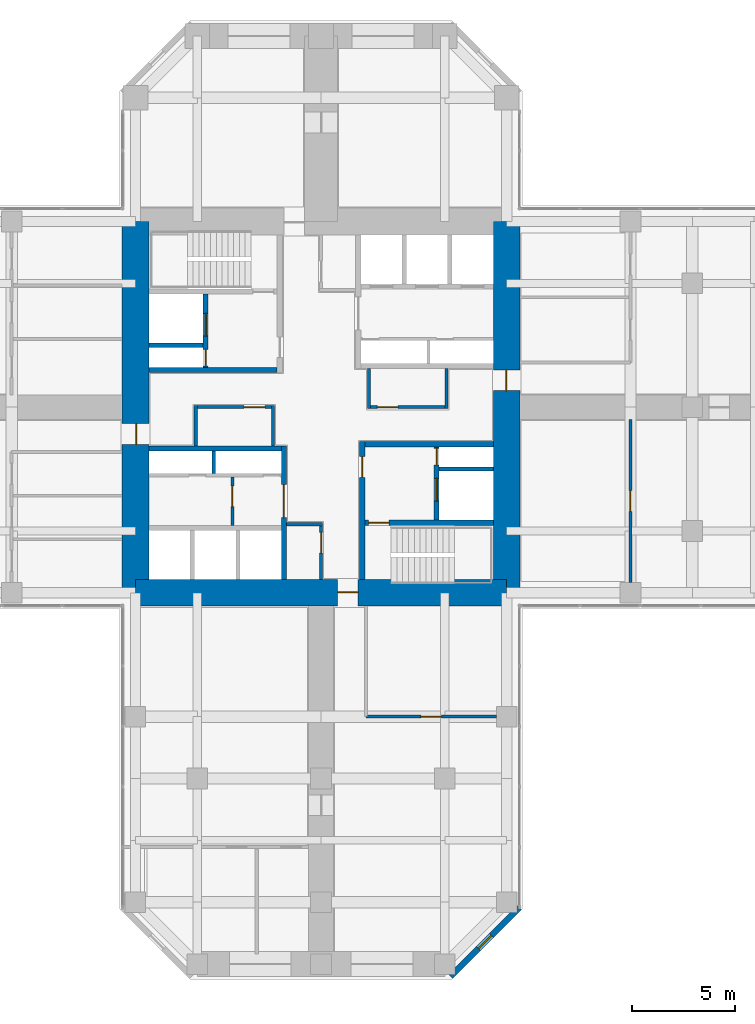
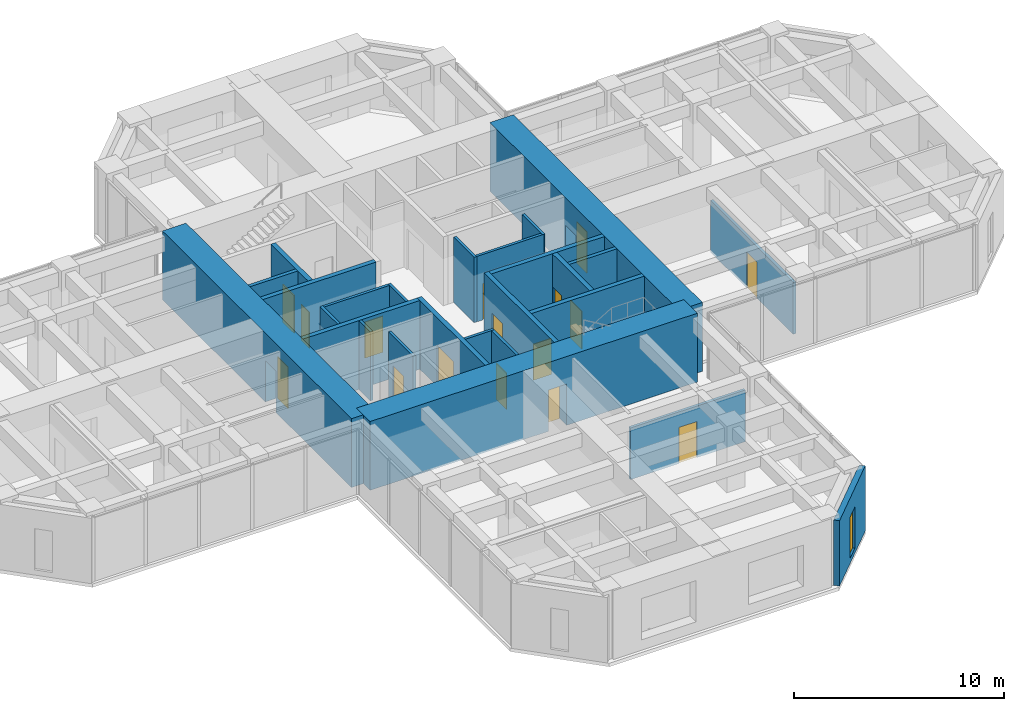
# One storey, part 9 of 12: 26 walls, 16 doors, 1 window, 17 openings.
"""IFC4 building model written with IfcOpenShell, lengths in metres."""

from ifc_helpers import new_model, si_unit, direction, frame, frame_2d, origin, place, context, subcontext, project, spatial, rectangle, hollow_rectangle, extrude, material, layer, layer_set, constituent, constituent_set, type_object, element, fill, save


model = new_model("IFC4")

# Units and contexts
model_context = context("Model", 3, precision=1e-05, world=origin(), true_north=direction((0.0, 1.0)))
body_context = subcontext(model_context, "Body", "Model", "MODEL_VIEW")
ifc_project = project(units=[si_unit("LENGTHUNIT", "METRE"), si_unit("AREAUNIT", "SQUARE_METRE"), si_unit("VOLUMEUNIT", "CUBIC_METRE"), si_unit("PLANEANGLEUNIT", "RADIAN"), si_unit("MASSUNIT", "GRAM", prefix="KILO")], contexts=[model_context])

# Site, building, storey
site_placement = place(None, origin())
site = spatial("IfcSite", under=ifc_project, at=site_placement, CompositionType="ELEMENT")
building_placement = place(site_placement, origin())
building = spatial("IfcBuilding", under=site, at=building_placement, Name="Torre Cruceta", CompositionType="ELEMENT")
storey_placement = place(building_placement, frame((0.0, 0.0, 108.5)))
storey = spatial("IfcBuildingStorey", under=building, at=storey_placement, Name="L26", CompositionType="ELEMENT", Elevation=108.5)

# Wall
ifc_material_1 = material(Name="Concrete G60 (fck 60 MPa)", Category="concrete")
ifc_layer_1 = layer(ifc_material_1, 0.25)
ifc_layer_set_1 = layer_set([ifc_layer_1], Name="Concrete G60 (fck 60 MPa)")
wall_type_1 = type_object("IfcWallType", Name="CORE INNER WALL 250 G60", PredefinedType="SHEAR", material=ifc_layer_set_1)
wall_1_placement = place(storey_placement, frame((-2.125, 1.800048828125, 0.0), z_axis=(0.0, 0.0, 1.0), x_axis=(-1.0, 0.0, 0.0)))
element("IfcWall", 1, at=wall_1_placement, inside=storey, type_object=wall_type_1, Name="CW4 L26 NW-CV", PredefinedType="SHEAR", context=body_context, shape_type="SweptSolid", body=[
    extrude(rectangle(XDim=6.22509765625, YDim=0.25, at=frame_2d((3.112548828125, 0.0))), origin(), (0.0, 0.0, 1.0), 4.0),
])

# Wall, openings, doors
wall_2_placement = place(storey_placement, frame((-5.60009765625, 1.925048828125, 0.0), z_axis=(0.0, 0.0, 1.0), x_axis=(0.0, 1.0, 0.0)))
wall_2 = element("IfcWall", 2, at=wall_2_placement, inside=storey, type_object=wall_type_1, Name="CW4 L26 NW-FU", PredefinedType="SHEAR", context=body_context, shape_type="SweptSolid", body=[
    extrude(rectangle(XDim=3.550048828125, YDim=0.25, at=frame_2d((1.77490234375, 0.0))), origin(), (0.0, 0.0, 1.0), 4.0),
])
opening_1_placement = place(wall_2_placement, frame((1.52490234375, 0.0, 0.0)))
opening_1 = element("IfcOpeningElement", 3, at=opening_1_placement, cuts=wall_2, Name="Opening LD1", PredefinedType="OPENING", context=body_context, shape_type="SweptSolid", body=[
    extrude(rectangle(XDim=1.10009765625, YDim=2.199951171875, at=frame_2d((0.550048828125, 1.10009765625))), frame((0.0, 0.135009765625, 0.0), z_axis=(0.0, -1.0, 0.0), x_axis=(1.0, 0.0, 0.0)), (0.0, 0.0, 1.0), 0.27001953125),
])
opening_2_placement = place(wall_2_placement, frame((0.074951171875, 0.0, 0.0)))
opening_2 = element("IfcOpeningElement", 4, at=opening_2_placement, cuts=wall_2, Name="Opening D5", PredefinedType="OPENING", context=body_context, shape_type="SweptSolid", body=[
    extrude(rectangle(XDim=0.800048828125, YDim=2.10009765625, at=frame_2d((0.39990234375, 1.050048828125))), frame((0.0, 0.135009765625, 0.0), z_axis=(0.0, -1.0, 0.0), x_axis=(1.0, 0.0, 0.0)), (0.0, 0.0, 1.0), 0.27001953125),
])
ifc_material_2 = material(Name="Stainless steel 1.4401", Category="steel")
door_type_1 = type_object("IfcDoorType", Name="LIFT LANDING DOOR 1100X2200", OperationType="DOUBLE_DOOR_SLIDING", PredefinedType="DOOR", material=ifc_material_2)
door_1_placement = place(opening_1_placement, origin())
door_1 = element("IfcDoor", 5, at=door_1_placement, inside=storey, type_object=door_type_1, Name="Lift landing door FL1", OperationType="DOUBLE_DOOR_SLIDING", OverallHeight=2.199951171875, OverallWidth=1.10009765625, PredefinedType="DOOR", context=body_context, shape_type="SweptSolid", body=[
    extrude(rectangle(XDim=1.10009765625, YDim=2.199951171875, at=frame_2d((0.550048828125, 1.10009765625))), frame((0.0, 0.02490234375, 0.0), z_axis=(0.0, -1.0, 0.0), x_axis=(1.0, 0.0, 0.0)), (0.0, 0.0, 1.0), 0.050048828125),
])
fill(opening_1, door_1)
ifc_material_3 = material(Name="Steel DX51D", Category="steel")
ifc_constituent_1 = constituent(ifc_material_3, Name="Leaf and frame")
ifc_material_4 = material(Name="Polyester powder coating", Category="paint")
ifc_constituent_2 = constituent(ifc_material_4, Name="Finish")
ifc_constituent_set_1 = constituent_set(constituents=[ifc_constituent_1, ifc_constituent_2], Name="Steel fire door")
door_type_2 = type_object("IfcDoorType", Name="RISER ACCESS DOOR 800X2100", OperationType="SINGLE_SWING_LEFT", PredefinedType="DOOR", material=ifc_constituent_set_1)
door_2_placement = place(opening_2_placement, origin())
door_2 = element("IfcDoor", 6, at=door_2_placement, inside=storey, type_object=door_type_2, Name="D5 L26 NW-RISER", OperationType="SINGLE_SWING_LEFT", OverallHeight=2.10009765625, OverallWidth=0.800048828125, PredefinedType="DOOR", context=body_context, shape_type="SweptSolid", body=[
    extrude(rectangle(XDim=0.800048828125, YDim=2.10009765625, at=frame_2d((0.39990234375, 1.050048828125))), frame((0.0, 0.02490234375, 0.0), z_axis=(0.0, -1.0, 0.0), x_axis=(1.0, 0.0, 0.0)), (0.0, 0.0, 1.0), 0.050048828125),
])
fill(opening_2, door_2)

# Wall, opening, door
wall_3_placement = place(storey_placement, frame((-1.800048828125, -1.875, 0.0), z_axis=(0.0, 0.0, 1.0), x_axis=(0.0, -1.0, 0.0)))
wall_3 = element("IfcWall", 7, at=wall_3_placement, inside=storey, type_object=wall_type_1, Name="CW4 L26 SW-CU", PredefinedType="SHEAR", context=body_context, shape_type="SweptSolid", body=[
    extrude(rectangle(XDim=6.47509765625, YDim=0.25, at=frame_2d((3.237548828125, 0.0))), origin(), (0.0, 0.0, 1.0), 4.0),
])
opening_3_placement = place(wall_3_placement, frame((1.875, 0.0, 0.0)))
opening_3 = element("IfcOpeningElement", 8, at=opening_3_placement, cuts=wall_3, Name="Opening D15", PredefinedType="OPENING", context=body_context, shape_type="SweptSolid", body=[
    extrude(rectangle(XDim=1.60009765625, YDim=2.39990234375, at=frame_2d((0.800048828125, 1.199951171875))), frame((0.0, 0.135009765625, 0.0), z_axis=(0.0, -1.0, 0.0), x_axis=(1.0, 0.0, 0.0)), (0.0, 0.0, 1.0), 0.27001953125),
])
ifc_material_5 = material(Name="Steel DX51D", Category="steel")
ifc_constituent_3 = constituent(ifc_material_5, Name="Leaf and frame")
ifc_material_6 = material(Name="Polyester powder coating", Category="paint")
ifc_constituent_4 = constituent(ifc_material_6, Name="Finish")
ifc_constituent_set_2 = constituent_set(constituents=[ifc_constituent_3, ifc_constituent_4], Name="Steel fire door")
door_type_3 = type_object("IfcDoorType", Name="CORE ROOM DOUBLE DOOR 1600X2400", OperationType="DOUBLE_DOOR_SINGLE_SWING", PredefinedType="DOOR", material=ifc_constituent_set_2)
door_3_placement = place(opening_3_placement, frame((1.60009765625, 0.0, 0.0), z_axis=(0.0, 0.0, 1.0), x_axis=(-1.0, 0.0, 0.0)))
door_3 = element("IfcDoor", 9, at=door_3_placement, inside=storey, type_object=door_type_3, Name="D15 L26 SW-LOBBY", OperationType="DOUBLE_DOOR_SINGLE_SWING", OverallHeight=2.39990234375, OverallWidth=1.60009765625, PredefinedType="DOOR", context=body_context, shape_type="SweptSolid", body=[
    extrude(rectangle(XDim=1.60009765625, YDim=2.39990234375, at=frame_2d((0.800048828125, 1.199951171875))), frame((0.0, 0.025146484375, 0.0), z_axis=(0.0, -1.0, 0.0), x_axis=(1.0, 0.0, 0.0)), (0.0, 0.0, 1.0), 0.050048828125),
])
fill(opening_3, door_3)

# Wall
wall_4_placement = place(storey_placement, frame((-1.925048828125, -2.0, 0.0), z_axis=(0.0, 0.0, 1.0), x_axis=(-1.0, 0.0, 0.0)))
element("IfcWall", 10, at=wall_4_placement, inside=storey, type_object=wall_type_1, Name="CW4 L26 SW-CV", PredefinedType="SHEAR", context=body_context, shape_type="SweptSolid", body=[
    extrude(rectangle(XDim=6.425048828125, YDim=0.25, at=frame_2d((3.21240234375, 0.0))), origin(), (0.0, 0.0, 1.0), 4.0),
])

# Wall, opening, door
wall_5_placement = place(storey_placement, frame((2.0, -1.675048828125, 0.0), z_axis=(0.0, 0.0, 1.0), x_axis=(0.0, -1.0, 0.0)))
wall_5 = element("IfcWall", 11, at=wall_5_placement, inside=storey, type_object=wall_type_1, Name="CW4 L26 SE-CU", PredefinedType="SHEAR", context=body_context, shape_type="SweptSolid", body=[
    extrude(rectangle(XDim=6.675048828125, YDim=0.25, at=frame_2d((3.33740234375, 0.0))), origin(), (0.0, 0.0, 1.0), 4.0),
])
opening_4_placement = place(wall_5_placement, frame((0.72509765625, 0.0, 0.0)))
opening_4 = element("IfcOpeningElement", 12, at=opening_4_placement, cuts=wall_5, Name="Opening D3", PredefinedType="OPENING", context=body_context, shape_type="SweptSolid", body=[
    extrude(rectangle(XDim=1.0, YDim=2.10009765625, at=frame_2d((0.5, 1.050048828125))), frame((0.0, 0.135009765625, 0.0), z_axis=(0.0, -1.0, 0.0), x_axis=(1.0, 0.0, 0.0)), (0.0, 0.0, 1.0), 0.27001953125),
])
ifc_material_7 = material(Name="Steel DX51D", Category="steel")
ifc_constituent_5 = constituent(ifc_material_7, Name="Leaf and frame")
ifc_material_8 = material(Name="Polyester powder coating", Category="paint")
ifc_constituent_6 = constituent(ifc_material_8, Name="Finish")
ifc_constituent_set_3 = constituent_set(constituents=[ifc_constituent_5, ifc_constituent_6], Name="Steel fire door")
door_type_4 = type_object("IfcDoorType", Name="FIRE DOOR 1000X2100", OperationType="SINGLE_SWING_LEFT", PredefinedType="DOOR", material=ifc_constituent_set_3)
door_4_placement = place(opening_4_placement, origin())
door_4 = element("IfcDoor", 13, at=door_4_placement, inside=storey, type_object=door_type_4, Name="D3 L26 SE-LOBBY", OperationType="SINGLE_SWING_LEFT", OverallHeight=2.10009765625, OverallWidth=1.0, PredefinedType="DOOR", context=body_context, shape_type="SweptSolid", body=[
    extrude(rectangle(XDim=1.0, YDim=2.10009765625, at=frame_2d((0.5, 1.050048828125))), frame((0.0, 0.02490234375, 0.0), z_axis=(0.0, -1.0, 0.0), x_axis=(1.0, 0.0, 0.0)), (0.0, 0.0, 1.0), 0.050048828125),
])
fill(opening_4, door_4)

# Wall
wall_6_placement = place(storey_placement, frame((2.125, -1.800048828125, 0.0), z_axis=(0.0, 0.0, 1.0), x_axis=(1.0, 0.0, 0.0)))
element("IfcWall", 14, at=wall_6_placement, inside=storey, type_object=wall_type_1, Name="CW4 L26 SE-CV", PredefinedType="SHEAR", context=body_context, shape_type="SweptSolid", body=[
    extrude(rectangle(XDim=6.22509765625, YDim=0.25, at=frame_2d((3.112548828125, 0.0))), origin(), (0.0, 0.0, 1.0), 4.0),
])

# Wall, opening, door
wall_7_placement = place(storey_placement, frame((2.125, -5.60009765625, 0.0), z_axis=(0.0, 0.0, 1.0), x_axis=(1.0, 0.0, 0.0)))
wall_7 = element("IfcWall", 15, at=wall_7_placement, inside=storey, type_object=wall_type_1, Name="CW4 L26 SE-SV", PredefinedType="SHEAR", context=body_context, shape_type="SweptSolid", body=[
    extrude(rectangle(XDim=6.22509765625, YDim=0.25, at=frame_2d((3.112548828125, 0.0))), origin(), (0.0, 0.0, 1.0), 4.0),
])
opening_5_placement = place(wall_7_placement, frame((0.175048828125, 0.0, 0.0)))
opening_5 = element("IfcOpeningElement", 16, at=opening_5_placement, cuts=wall_7, Name="Opening D3", PredefinedType="OPENING", context=body_context, shape_type="SweptSolid", body=[
    extrude(rectangle(XDim=1.0, YDim=2.10009765625, at=frame_2d((0.5, 1.050048828125))), frame((0.0, 0.135009765625, 0.0), z_axis=(0.0, -1.0, 0.0), x_axis=(1.0, 0.0, 0.0)), (0.0, 0.0, 1.0), 0.27001953125),
])
door_5_placement = place(opening_5_placement, frame((1.0, 0.0, 0.0), z_axis=(0.0, 0.0, 1.0), x_axis=(-1.0, 0.0, 0.0)))
door_5 = element("IfcDoor", 17, at=door_5_placement, inside=storey, type_object=door_type_4, Name="D3 L26 SE-STAIR", OperationType="SINGLE_SWING_RIGHT", OverallHeight=2.10009765625, OverallWidth=1.0, PredefinedType="DOOR", context=body_context, shape_type="SweptSolid", body=[
    extrude(rectangle(XDim=1.0, YDim=2.10009765625, at=frame_2d((0.5, 1.050048828125))), frame((0.0, 0.025146484375, 0.0), z_axis=(0.0, -1.0, 0.0), x_axis=(1.0, 0.0, 0.0)), (0.0, 0.0, 1.0), 0.050048828125),
])
fill(opening_5, door_5)

# Wall, openings, doors
wall_8_placement = place(storey_placement, frame((5.60009765625, -1.925048828125, 0.0), z_axis=(0.0, 0.0, 1.0), x_axis=(0.0, -1.0, 0.0)))
wall_8 = element("IfcWall", 18, at=wall_8_placement, inside=storey, type_object=wall_type_1, Name="CW4 L26 SE-FU", PredefinedType="SHEAR", context=body_context, shape_type="SweptSolid", body=[
    extrude(rectangle(XDim=3.550048828125, YDim=0.25, at=frame_2d((1.77490234375, 0.0))), origin(), (0.0, 0.0, 1.0), 4.0),
])
opening_6_placement = place(wall_8_placement, frame((1.52490234375, 0.0, 0.0)))
opening_6 = element("IfcOpeningElement", 19, at=opening_6_placement, cuts=wall_8, Name="Opening LD1", PredefinedType="OPENING", context=body_context, shape_type="SweptSolid", body=[
    extrude(rectangle(XDim=1.10009765625, YDim=2.199951171875, at=frame_2d((0.550048828125, 1.10009765625))), frame((0.0, 0.135009765625, 0.0), z_axis=(0.0, -1.0, 0.0), x_axis=(1.0, 0.0, 0.0)), (0.0, 0.0, 1.0), 0.27001953125),
])
opening_7_placement = place(wall_8_placement, frame((0.074951171875, 0.0, 0.0)))
opening_7 = element("IfcOpeningElement", 20, at=opening_7_placement, cuts=wall_8, Name="Opening D5", PredefinedType="OPENING", context=body_context, shape_type="SweptSolid", body=[
    extrude(rectangle(XDim=0.800048828125, YDim=2.10009765625, at=frame_2d((0.39990234375, 1.050048828125))), frame((0.0, 0.135009765625, 0.0), z_axis=(0.0, -1.0, 0.0), x_axis=(1.0, 0.0, 0.0)), (0.0, 0.0, 1.0), 0.27001953125),
])
door_6_placement = place(opening_6_placement, origin())
door_6 = element("IfcDoor", 21, at=door_6_placement, inside=storey, type_object=door_type_1, Name="Lift landing door FL2", OperationType="DOUBLE_DOOR_SLIDING", OverallHeight=2.199951171875, OverallWidth=1.10009765625, PredefinedType="DOOR", context=body_context, shape_type="SweptSolid", body=[
    extrude(rectangle(XDim=1.10009765625, YDim=2.199951171875, at=frame_2d((0.550048828125, 1.10009765625))), frame((0.0, 0.02490234375, 0.0), z_axis=(0.0, -1.0, 0.0), x_axis=(1.0, 0.0, 0.0)), (0.0, 0.0, 1.0), 0.050048828125),
])
fill(opening_6, door_6)
door_7_placement = place(opening_7_placement, origin())
door_7 = element("IfcDoor", 22, at=door_7_placement, inside=storey, type_object=door_type_2, Name="D5 L26 SE-RISER", OperationType="SINGLE_SWING_LEFT", OverallHeight=2.10009765625, OverallWidth=0.800048828125, PredefinedType="DOOR", context=body_context, shape_type="SweptSolid", body=[
    extrude(rectangle(XDim=0.800048828125, YDim=2.10009765625, at=frame_2d((0.39990234375, 1.050048828125))), frame((0.0, 0.02490234375, 0.0), z_axis=(0.0, -1.0, 0.0), x_axis=(1.0, 0.0, 0.0)), (0.0, 0.0, 1.0), 0.050048828125),
])
fill(opening_7, door_7)

# Wall, opening, door
ifc_material_9 = material(Name="Concrete G60 (fck 60 MPa)", Category="concrete")
ifc_layer_2 = layer(ifc_material_9, 1.300048828125)
ifc_layer_set_2 = layer_set([ifc_layer_2], Name="Concrete G60 (fck 60 MPa)")
wall_type_2 = type_object("IfcWallType", Name="CORE WALL 1300 G60", PredefinedType="SHEAR", material=ifc_layer_set_2)
wall_9_placement = place(storey_placement, frame((-9.0, -9.0, 0.0), z_axis=(0.0, 0.0, 1.0), x_axis=(1.0, 0.0, 0.0)))
wall_9 = element("IfcWall", 23, at=wall_9_placement, inside=storey, type_object=wall_type_2, Name="CW1 L26 CW-S", PredefinedType="SHEAR", context=body_context, shape_type="SweptSolid", body=[
    extrude(rectangle(XDim=18.0, YDim=1.300048828125, at=frame_2d((9.0, 0.0))), origin(), (0.0, 0.0, 1.0), 4.0),
])
opening_8_placement = place(wall_9_placement, frame((9.800048828125, 0.0, 0.0)))
opening_8 = element("IfcOpeningElement", 24, at=opening_8_placement, cuts=wall_9, Name="Opening D4", PredefinedType="OPENING", context=body_context, shape_type="SweptSolid", body=[
    extrude(rectangle(XDim=1.0, YDim=2.39990234375, at=frame_2d((0.5, 1.199951171875))), frame((0.0, 0.659912109375, 0.0), z_axis=(0.0, -1.0, 0.0), x_axis=(1.0, 0.0, 0.0)), (0.0, 0.0, 1.0), 1.320068359375),
])
ifc_material_10 = material(Name="Steel DX51D", Category="steel")
ifc_constituent_7 = constituent(ifc_material_10, Name="Leaf and frame")
ifc_material_11 = material(Name="Polyester powder coating", Category="paint")
ifc_constituent_8 = constituent(ifc_material_11, Name="Finish")
ifc_constituent_set_4 = constituent_set(constituents=[ifc_constituent_7, ifc_constituent_8], Name="Steel fire door")
door_type_5 = type_object("IfcDoorType", Name="CORE ARM DOOR 1000X2400", OperationType="SINGLE_SWING_RIGHT", PredefinedType="DOOR", material=ifc_constituent_set_4)
door_8_placement = place(opening_8_placement, frame((1.0, 0.0, 0.0), z_axis=(0.0, 0.0, 1.0), x_axis=(-1.0, 0.0, 0.0)))
door_8 = element("IfcDoor", 25, at=door_8_placement, inside=storey, type_object=door_type_5, Name="D4 L26 CW-S", OperationType="SINGLE_SWING_RIGHT", OverallHeight=2.39990234375, OverallWidth=1.0, PredefinedType="DOOR", context=body_context, shape_type="SweptSolid", body=[
    extrude(rectangle(XDim=1.0, YDim=2.39990234375, at=frame_2d((0.5, 1.199951171875))), frame((0.0, -0.005126953125, 0.0), z_axis=(0.0, -1.0, 0.0), x_axis=(1.0, 0.0, 0.0)), (0.0, 0.0, 1.0), 0.050048828125),
])
fill(opening_8, door_8)

wall_10_placement = place(storey_placement, frame((9.0, -9.0, 0.0), z_axis=(0.0, 0.0, 1.0), x_axis=(0.0, 1.0, 0.0)))
wall_10 = element("IfcWall", 26, at=wall_10_placement, inside=storey, type_object=wall_type_2, Name="CW1 L26 CW-E", PredefinedType="SHEAR", context=body_context, shape_type="SweptSolid", body=[
    extrude(rectangle(XDim=18.0, YDim=1.300048828125, at=frame_2d((9.0, 0.0))), origin(), (0.0, 0.0, 1.0), 4.0),
])
opening_9_placement = place(wall_10_placement, frame((9.800048828125, 0.0, 0.0)))
opening_9 = element("IfcOpeningElement", 27, at=opening_9_placement, cuts=wall_10, Name="Opening D4", PredefinedType="OPENING", context=body_context, shape_type="SweptSolid", body=[
    extrude(rectangle(XDim=1.0, YDim=2.39990234375, at=frame_2d((0.5, 1.199951171875))), frame((0.0, 0.659912109375, 0.0), z_axis=(0.0, -1.0, 0.0), x_axis=(1.0, 0.0, 0.0)), (0.0, 0.0, 1.0), 1.320068359375),
])
door_9_placement = place(opening_9_placement, frame((1.0, 0.0, 0.0), z_axis=(0.0, 0.0, 1.0), x_axis=(-1.0, 0.0, 0.0)))
door_9 = element("IfcDoor", 28, at=door_9_placement, inside=storey, type_object=door_type_5, Name="D4 L26 CW-E", OperationType="SINGLE_SWING_RIGHT", OverallHeight=2.39990234375, OverallWidth=1.0, PredefinedType="DOOR", context=body_context, shape_type="SweptSolid", body=[
    extrude(rectangle(XDim=1.0, YDim=2.39990234375, at=frame_2d((0.5, 1.199951171875))), frame((0.0, -0.005126953125, 0.0), z_axis=(0.0, -1.0, 0.0), x_axis=(1.0, 0.0, 0.0)), (0.0, 0.0, 1.0), 0.050048828125),
])
fill(opening_9, door_9)

wall_11_placement = place(storey_placement, frame((-9.0, 9.0, 0.0), z_axis=(0.0, 0.0, 1.0), x_axis=(0.0, -1.0, 0.0)))
wall_11 = element("IfcWall", 29, at=wall_11_placement, inside=storey, type_object=wall_type_2, Name="CW1 L26 CW-W", PredefinedType="SHEAR", context=body_context, shape_type="SweptSolid", body=[
    extrude(rectangle(XDim=18.0, YDim=1.300048828125, at=frame_2d((9.0, 0.0))), origin(), (0.0, 0.0, 1.0), 4.0),
])
opening_10_placement = place(wall_11_placement, frame((9.800048828125, 0.0, 0.0)))
opening_10 = element("IfcOpeningElement", 30, at=opening_10_placement, cuts=wall_11, Name="Opening D4", PredefinedType="OPENING", context=body_context, shape_type="SweptSolid", body=[
    extrude(rectangle(XDim=1.0, YDim=2.39990234375, at=frame_2d((0.5, 1.199951171875))), frame((0.0, 0.659912109375, 0.0), z_axis=(0.0, -1.0, 0.0), x_axis=(1.0, 0.0, 0.0)), (0.0, 0.0, 1.0), 1.320068359375),
])
door_10_placement = place(opening_10_placement, frame((1.0, 0.0, 0.0), z_axis=(0.0, 0.0, 1.0), x_axis=(-1.0, 0.0, 0.0)))
door_10 = element("IfcDoor", 31, at=door_10_placement, inside=storey, type_object=door_type_5, Name="D4 L26 CW-W", OperationType="SINGLE_SWING_RIGHT", OverallHeight=2.39990234375, OverallWidth=1.0, PredefinedType="DOOR", context=body_context, shape_type="SweptSolid", body=[
    extrude(rectangle(XDim=1.0, YDim=2.39990234375, at=frame_2d((0.5, 1.199951171875))), frame((0.0, -0.005126953125, 0.0), z_axis=(0.0, -1.0, 0.0), x_axis=(1.0, 0.0, 0.0)), (0.0, 0.0, 1.0), 0.050048828125),
])
fill(opening_10, door_10)

# Wall, opening, window
ifc_material_12 = material(Name="Concrete G30 (fck 30 MPa)", Category="concrete")
ifc_layer_3 = layer(ifc_material_12, 0.300048828125)
ifc_layer_set_3 = layer_set([ifc_layer_3], Name="Concrete G30 (fck 30 MPa)")
wall_type_3 = type_object("IfcWallType", Name="EXPOSED CONCRETE FACADE WALL 300", PredefinedType="SOLIDWALL", material=ifc_layer_set_3)
wall_12_placement = place(storey_placement, frame((6.27685546875, -27.60009765625, 0.0), z_axis=(0.0, 0.0, 1.0), x_axis=(0.707106781187, 0.707106781187, 0.0)))
wall_12 = element("IfcWall", 32, at=wall_12_placement, inside=storey, type_object=wall_type_3, Name="EW1 facade wall L26 S chamfer 18", PredefinedType="SOLIDWALL", context=body_context, shape_type="SweptSolid", body=[
    extrude(rectangle(XDim=4.72802734375, YDim=0.300048828125, at=frame_2d((2.364013671875, 0.0))), origin(), (0.0, 0.0, 1.0), 3.800048828125),
])
opening_11_placement = place(wall_12_placement, frame((1.9140625, 0.0, 0.300048828125)))
opening_11 = element("IfcOpeningElement", 33, at=opening_11_placement, cuts=wall_12, Name="Opening WN5", PredefinedType="OPENING", context=body_context, shape_type="SweptSolid", body=[
    extrude(rectangle(XDim=0.89990234375, YDim=2.39990234375, at=frame_2d((0.449951171875, 1.199951171875))), frame((0.0, 0.159912109375, 0.0), z_axis=(0.0, -1.0, 0.0), x_axis=(1.0, 0.0, 0.0)), (0.0, 0.0, 1.0), 0.320068359375),
])
ifc_material_13 = material(Name="Aluminium window frame", Category="aluminium")
ifc_constituent_9 = constituent(ifc_material_13, Name="Frame")
ifc_material_14 = material(Name="Laminated insulating glass unit, low-iron clear", Category="glass")
ifc_constituent_10 = constituent(ifc_material_14, Name="Glazing")
ifc_constituent_set_5 = constituent_set(constituents=[ifc_constituent_9, ifc_constituent_10], Name="Aluminium window")
window_type = type_object("IfcWindowType", Name="CHAMFER SLOT WINDOW 900X2400", PartitioningType="SINGLE_PANEL", PredefinedType="WINDOW", material=ifc_constituent_set_5)
window_placement = place(opening_11_placement, origin())
window = element("IfcWindow", 34, at=window_placement, inside=storey, type_object=window_type, Name="WN5 L26 S 1", OverallHeight=2.39990234375, OverallWidth=0.89990234375, PartitioningType="SINGLE_PANEL", PredefinedType="WINDOW", context=body_context, shape_type="SweptSolid", body=[
    extrude(hollow_rectangle(XDim=0.89990234375, YDim=2.39990234375, WallThickness=0.06005859375, at=frame_2d((0.449951171875, 1.199951171875))), frame((0.0, 0.030029296875, 0.0), z_axis=(0.0, -1.0, 0.0), x_axis=(1.0, 0.0, 0.0)), (0.0, 0.0, 1.0), 0.06005859375),
    extrude(rectangle(XDim=0.77880859375, YDim=2.27880859375, at=frame_2d((0.449951171875, 1.199951171875))), frame((0.0, 0.030029296875, 0.0), z_axis=(0.0, -1.0, 0.0), x_axis=(1.0, 0.0, 0.0)), (0.0, 0.0, 1.0), 0.06005859375),
])
fill(opening_11, window)

# Walls
ifc_material_15 = material(Name="Concrete G35 (fck 35 MPa)", Category="concrete")
ifc_layer_4 = layer(ifc_material_15, 0.199951171875)
ifc_layer_set_4 = layer_set([ifc_layer_4], Name="Concrete G35 (fck 35 MPa)")
wall_type_4 = type_object("IfcWallType", Name="LIFT SHAFT WALL 200", PredefinedType="PARTITIONING", material=ifc_layer_set_4)
for number, where, z_axis, x_axis, name in (
    (35, (-5.72509765625, 3.0, 0.0), (0.0, 0.0, 1.0), (-1.0, 0.0, 0.0), "SW1 L26 NW-FR"),
    (36, (5.72509765625, -3.0, 0.0), (0.0, 0.0, 1.0), (1.0, 0.0, 0.0), "SW1 L26 SE-FR"),
):
    element("IfcWall", number, at=place(storey_placement, frame(where, z_axis=z_axis, x_axis=x_axis)), inside=storey, type_object=wall_type_4, Name=name, PredefinedType="PARTITIONING", context=body_context, shape_type="SweptSolid", body=[
        extrude(rectangle(XDim=2.625, YDim=0.199951171875, at=frame_2d((1.3125, 0.0))), origin(), (0.0, 0.0, 1.0), 4.0),
    ])

# Wall, opening, door
ifc_material_16 = material(Name="Plasterboard on steel studs", Category="steel")
ifc_layer_5 = layer(ifc_material_16, 0.14990234375)
ifc_layer_set_5 = layer_set([ifc_layer_5], Name="Plasterboard on steel studs")
wall_type_5 = type_object("IfcWallType", Name="PARTITION 150", PredefinedType="PARTITIONING", material=ifc_layer_set_5)
wall_13_placement = place(storey_placement, frame((2.324951171875, 0.0, 0.0), z_axis=(0.0, 0.0, 1.0), x_axis=(1.0, 0.0, 0.0)))
wall_13 = element("IfcWall", 37, at=wall_13_placement, inside=storey, type_object=wall_type_5, Name="PT1 L26-CORE-LEGE-N-W1", PredefinedType="PARTITIONING", context=body_context, shape_type="SweptSolid", body=[
    extrude(rectangle(XDim=3.75, YDim=0.14990234375, at=frame_2d((1.875, 0.0))), origin(), (0.0, 0.0, 1.0), 3.800048828125),
])
opening_12_placement = place(wall_13_placement, frame((0.39990234375, 0.0, 0.0)))
opening_12 = element("IfcOpeningElement", 38, at=opening_12_placement, cuts=wall_13, Name="Opening D3", PredefinedType="OPENING", context=body_context, shape_type="SweptSolid", body=[
    extrude(rectangle(XDim=1.0, YDim=2.10009765625, at=frame_2d((0.5, 1.050048828125))), frame((0.0, 0.0849609375, 0.0), z_axis=(0.0, -1.0, 0.0), x_axis=(1.0, 0.0, 0.0)), (0.0, 0.0, 1.0), 0.169921875),
])
door_11_placement = place(opening_12_placement, origin())
door_11 = element("IfcDoor", 39, at=door_11_placement, inside=storey, type_object=door_type_4, Name="D3 L26-CORE-LEGE-N-W1-D1", OperationType="SINGLE_SWING_LEFT", OverallHeight=2.10009765625, OverallWidth=1.0, PredefinedType="DOOR", context=body_context, shape_type="SweptSolid", body=[
    extrude(rectangle(XDim=1.0, YDim=2.10009765625, at=frame_2d((0.5, 1.050048828125))), frame((0.0, 0.02490234375, 0.0), z_axis=(0.0, -1.0, 0.0), x_axis=(1.0, 0.0, 0.0)), (0.0, 0.0, 1.0), 0.050048828125),
])
fill(opening_12, door_11)

# Walls
for number, where, z_axis, x_axis, name in (
    (40, (2.324951171875, 1.875, 0.0), (0.0, 0.0, 1.0), (0.0, -1.0, 0.0), "PT1 L26-CORE-LEGE-N-W2"),
    (41, (6.074951171875, -0.074951171875, 0.0), (0.0, 0.0, 1.0), (0.0, 1.0, 0.0), "PT1 L26-CORE-LEGE-N-W3"),
):
    element("IfcWall", number, at=place(storey_placement, frame(where, z_axis=z_axis, x_axis=x_axis)), inside=storey, type_object=wall_type_5, Name=name, PredefinedType="PARTITIONING", context=body_context, shape_type="SweptSolid", body=[
        extrude(rectangle(XDim=1.949951171875, YDim=0.14990234375, at=frame_2d((0.97509765625, 0.0))), origin(), (0.0, 0.0, 1.0), 3.800048828125),
    ])

# Wall, opening, door
wall_14_placement = place(storey_placement, frame((-2.324951171875, 0.0, 0.0), z_axis=(0.0, 0.0, 1.0), x_axis=(-1.0, 0.0, 0.0)))
wall_14 = element("IfcWall", 42, at=wall_14_placement, inside=storey, type_object=wall_type_5, Name="PT1 L26-CORE-LEGW-S-W1", PredefinedType="PARTITIONING", context=body_context, shape_type="SweptSolid", body=[
    extrude(rectangle(XDim=3.75, YDim=0.14990234375, at=frame_2d((1.875, 0.0))), origin(), (0.0, 0.0, 1.0), 3.800048828125),
])
opening_13_placement = place(wall_14_placement, frame((0.39990234375, 0.0, 0.0)))
opening_13 = element("IfcOpeningElement", 43, at=opening_13_placement, cuts=wall_14, Name="Opening D3", PredefinedType="OPENING", context=body_context, shape_type="SweptSolid", body=[
    extrude(rectangle(XDim=1.0, YDim=2.10009765625, at=frame_2d((0.5, 1.050048828125))), frame((0.0, 0.0849609375, 0.0), z_axis=(0.0, -1.0, 0.0), x_axis=(1.0, 0.0, 0.0)), (0.0, 0.0, 1.0), 0.169921875),
])
door_12_placement = place(opening_13_placement, origin())
door_12 = element("IfcDoor", 44, at=door_12_placement, inside=storey, type_object=door_type_4, Name="D3 L26-CORE-LEGW-S-W1-D1", OperationType="SINGLE_SWING_LEFT", OverallHeight=2.10009765625, OverallWidth=1.0, PredefinedType="DOOR", context=body_context, shape_type="SweptSolid", body=[
    extrude(rectangle(XDim=1.0, YDim=2.10009765625, at=frame_2d((0.5, 1.050048828125))), frame((0.0, 0.02490234375, 0.0), z_axis=(0.0, -1.0, 0.0), x_axis=(1.0, 0.0, 0.0)), (0.0, 0.0, 1.0), 0.050048828125),
])
fill(opening_13, door_12)

# Walls
for number, where, z_axis, x_axis, name in (
    (45, (-2.324951171875, -1.875, 0.0), (0.0, 0.0, 1.0), (0.0, 1.0, 0.0), "PT1 L26-CORE-LEGW-S-W2"),
    (46, (-6.074951171875, 0.074951171875, 0.0), (0.0, 0.0, 1.0), (0.0, -1.0, 0.0), "PT1 L26-CORE-LEGW-S-W3"),
):
    element("IfcWall", number, at=place(storey_placement, frame(where, z_axis=z_axis, x_axis=x_axis)), inside=storey, type_object=wall_type_5, Name=name, PredefinedType="PARTITIONING", context=body_context, shape_type="SweptSolid", body=[
        extrude(rectangle(XDim=1.949951171875, YDim=0.14990234375, at=frame_2d((0.97509765625, 0.0))), origin(), (0.0, 0.0, 1.0), 3.800048828125),
    ])

# Wall, opening, door
wall_15_placement = place(storey_placement, frame((0.0, -5.675048828125, 0.0), z_axis=(0.0, 0.0, 1.0), x_axis=(0.0, -1.0, 0.0)))
wall_15 = element("IfcWall", 47, at=wall_15_placement, inside=storey, type_object=wall_type_5, Name="PT1 L26-CORE-LEGS-W-W1", PredefinedType="PARTITIONING", context=body_context, shape_type="SweptSolid", body=[
    extrude(rectangle(XDim=2.675048828125, YDim=0.14990234375, at=frame_2d((1.33740234375, 0.0))), origin(), (0.0, 0.0, 1.0), 3.800048828125),
])
opening_14_placement = place(wall_15_placement, frame((0.39990234375, 0.0, 0.0)))
opening_14 = element("IfcOpeningElement", 48, at=opening_14_placement, cuts=wall_15, Name="Opening D3", PredefinedType="OPENING", context=body_context, shape_type="SweptSolid", body=[
    extrude(rectangle(XDim=1.0, YDim=2.10009765625, at=frame_2d((0.5, 1.050048828125))), frame((0.0, 0.0849609375, 0.0), z_axis=(0.0, -1.0, 0.0), x_axis=(1.0, 0.0, 0.0)), (0.0, 0.0, 1.0), 0.169921875),
])
door_13_placement = place(opening_14_placement, frame((1.0, 0.0, 0.0), z_axis=(0.0, 0.0, 1.0), x_axis=(-1.0, 0.0, 0.0)))
door_13 = element("IfcDoor", 49, at=door_13_placement, inside=storey, type_object=door_type_4, Name="D3 L26-CORE-LEGS-W-W1-D1", OperationType="SINGLE_SWING_RIGHT", OverallHeight=2.10009765625, OverallWidth=1.0, PredefinedType="DOOR", context=body_context, shape_type="SweptSolid", body=[
    extrude(rectangle(XDim=1.0, YDim=2.10009765625, at=frame_2d((0.5, 1.050048828125))), frame((0.0, 0.025146484375, 0.0), z_axis=(0.0, -1.0, 0.0), x_axis=(1.0, 0.0, 0.0)), (0.0, 0.0, 1.0), 0.050048828125),
])
fill(opening_14, door_13)

# Wall
wall_16_placement = place(storey_placement, frame((-1.675048828125, -5.675048828125, 0.0), z_axis=(0.0, 0.0, 1.0), x_axis=(1.0, 0.0, 0.0)))
element("IfcWall", 50, at=wall_16_placement, inside=storey, type_object=wall_type_5, Name="PT1 L26-CORE-LEGS-W-W2", PredefinedType="PARTITIONING", context=body_context, shape_type="SweptSolid", body=[
    extrude(rectangle(XDim=1.75, YDim=0.14990234375, at=frame_2d((0.875, 0.0))), origin(), (0.0, 0.0, 1.0), 3.800048828125),
])

# Wall, opening, door
wall_17_placement = place(storey_placement, frame((-4.300048828125, -3.375, 0.0), z_axis=(0.0, 0.0, 1.0), x_axis=(0.0, -1.0, 0.0)))
wall_17 = element("IfcWall", 51, at=wall_17_placement, inside=storey, type_object=wall_type_5, Name="PT1 L26-CORE-SW-X", PredefinedType="PARTITIONING", context=body_context, shape_type="SweptSolid", body=[
    extrude(rectangle(XDim=2.35009765625, YDim=0.14990234375, at=frame_2d((1.175048828125, 0.0))), origin(), (0.0, 0.0, 1.0), 3.800048828125),
])
opening_15_placement = place(wall_17_placement, frame((0.449951171875, 0.0, 0.0)))
opening_15 = element("IfcOpeningElement", 52, at=opening_15_placement, cuts=wall_17, Name="Opening D3", PredefinedType="OPENING", context=body_context, shape_type="SweptSolid", body=[
    extrude(rectangle(XDim=1.0, YDim=2.10009765625, at=frame_2d((0.5, 1.050048828125))), frame((0.0, 0.0849609375, 0.0), z_axis=(0.0, -1.0, 0.0), x_axis=(1.0, 0.0, 0.0)), (0.0, 0.0, 1.0), 0.169921875),
])
door_14_placement = place(opening_15_placement, origin())
door_14 = element("IfcDoor", 53, at=door_14_placement, inside=storey, type_object=door_type_4, Name="D3 L26-CORE-SW-X-D1", OperationType="SINGLE_SWING_LEFT", OverallHeight=2.10009765625, OverallWidth=1.0, PredefinedType="DOOR", context=body_context, shape_type="SweptSolid", body=[
    extrude(rectangle(XDim=1.0, YDim=2.10009765625, at=frame_2d((0.5, 1.050048828125))), frame((0.0, 0.02490234375, 0.0), z_axis=(0.0, -1.0, 0.0), x_axis=(1.0, 0.0, 0.0)), (0.0, 0.0, 1.0), 0.050048828125),
])
fill(opening_15, door_14)

wall_18_placement = place(storey_placement, frame((15.0, -8.5, 0.0), z_axis=(0.0, 0.0, 1.0), x_axis=(0.0, 1.0, 0.0)))
wall_18 = element("IfcWall", 54, at=wall_18_placement, inside=storey, type_object=wall_type_5, Name="PT1 L26-E-BFR", PredefinedType="PARTITIONING", context=body_context, shape_type="SweptSolid", body=[
    extrude(rectangle(XDim=7.89990234375, YDim=0.14990234375, at=frame_2d((3.949951171875, 0.0))), origin(), (0.0, 0.0, 1.0), 3.0),
])
opening_16_placement = place(wall_18_placement, frame((3.449951171875, 0.0, 0.0)))
opening_16 = element("IfcOpeningElement", 55, at=opening_16_placement, cuts=wall_18, Name="Opening D3", PredefinedType="OPENING", context=body_context, shape_type="SweptSolid", body=[
    extrude(rectangle(XDim=1.0, YDim=2.10009765625, at=frame_2d((0.5, 1.050048828125))), frame((0.0, 0.0849609375, 0.0), z_axis=(0.0, -1.0, 0.0), x_axis=(1.0, 0.0, 0.0)), (0.0, 0.0, 1.0), 0.169921875),
])
door_15_placement = place(opening_16_placement, origin())
door_15 = element("IfcDoor", 56, at=door_15_placement, inside=storey, type_object=door_type_4, Name="D3 L26-E-BFR-D1", OperationType="SINGLE_SWING_RIGHT", OverallHeight=2.10009765625, OverallWidth=1.0, PredefinedType="DOOR", context=body_context, shape_type="SweptSolid", body=[
    extrude(rectangle(XDim=1.0, YDim=2.10009765625, at=frame_2d((0.5, 1.050048828125))), frame((0.0, 0.02490234375, 0.0), z_axis=(0.0, -1.0, 0.0), x_axis=(1.0, 0.0, 0.0)), (0.0, 0.0, 1.0), 0.050048828125),
])
fill(opening_16, door_15)

wall_19_placement = place(storey_placement, frame((2.175048828125, -15.0, 0.0), z_axis=(0.0, 0.0, 1.0), x_axis=(1.0, 0.0, 0.0)))
wall_19 = element("IfcWall", 57, at=wall_19_placement, inside=storey, type_object=wall_type_5, Name="PT1 L26-S-BFL", PredefinedType="PARTITIONING", context=body_context, shape_type="SweptSolid", body=[
    extrude(rectangle(XDim=6.324951171875, YDim=0.14990234375, at=frame_2d((3.16259765625, 0.0))), origin(), (0.0, 0.0, 1.0), 3.0),
])
opening_17_placement = place(wall_19_placement, frame((2.66259765625, 0.0, 0.0)))
opening_17 = element("IfcOpeningElement", 58, at=opening_17_placement, cuts=wall_19, Name="Opening D3", PredefinedType="OPENING", context=body_context, shape_type="SweptSolid", body=[
    extrude(rectangle(XDim=1.0, YDim=2.10009765625, at=frame_2d((0.5, 1.050048828125))), frame((0.0, 0.0849609375, 0.0), z_axis=(0.0, -1.0, 0.0), x_axis=(1.0, 0.0, 0.0)), (0.0, 0.0, 1.0), 0.169921875),
])
door_16_placement = place(opening_17_placement, origin())
door_16 = element("IfcDoor", 59, at=door_16_placement, inside=storey, type_object=door_type_4, Name="D3 L26-S-BFL-D1", OperationType="SINGLE_SWING_LEFT", OverallHeight=2.10009765625, OverallWidth=1.0, PredefinedType="DOOR", context=body_context, shape_type="SweptSolid", body=[
    extrude(rectangle(XDim=1.0, YDim=2.10009765625, at=frame_2d((0.5, 1.050048828125))), frame((0.0, 0.02490234375, 0.0), z_axis=(0.0, -1.0, 0.0), x_axis=(1.0, 0.0, 0.0)), (0.0, 0.0, 1.0), 0.050048828125),
])
fill(opening_17, door_16)

# Wall
ifc_material_17 = material(Name="Concrete block masonry", Category="masonry")
ifc_layer_6 = layer(ifc_material_17, 0.14990234375)
ifc_layer_set_6 = layer_set([ifc_layer_6], Name="Concrete block masonry")
wall_type_6 = type_object("IfcWallType", Name="RISER WALL 150", PredefinedType="PARTITIONING", material=ifc_layer_set_6)
wall_20_placement = place(storey_placement, frame((-5.199951171875, -2.125, 0.0), z_axis=(0.0, 0.0, 1.0), x_axis=(0.0, -1.0, 0.0)))
element("IfcWall", 60, at=wall_20_placement, inside=storey, type_object=wall_type_6, Name="SW7 L26 SW-RU", PredefinedType="PARTITIONING", context=body_context, shape_type="SweptSolid", body=[
    extrude(rectangle(XDim=1.10009765625, YDim=0.14990234375, at=frame_2d((0.550048828125, 0.0))), origin(), (0.0, 0.0, 1.0), 4.0),
])

save(model, "model.ifc")
